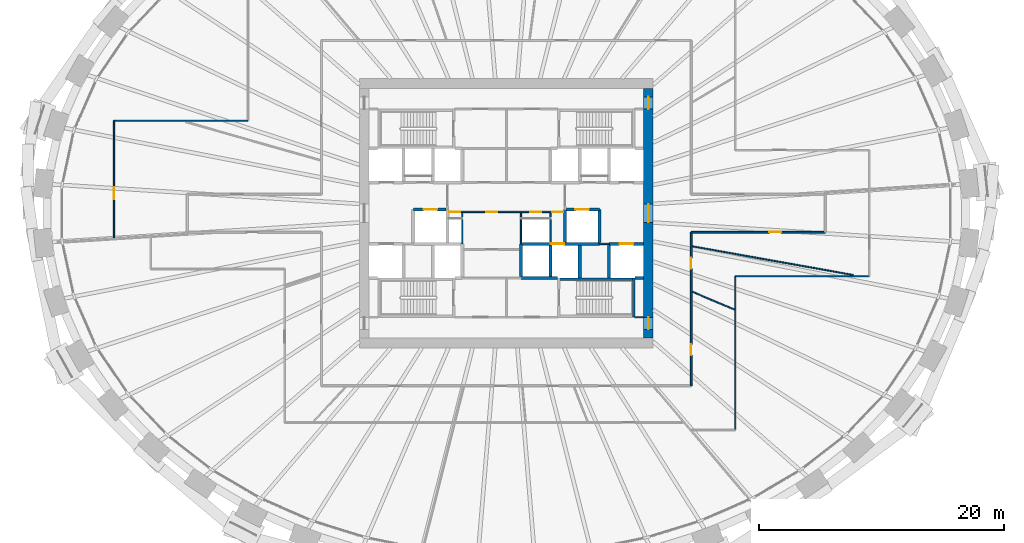
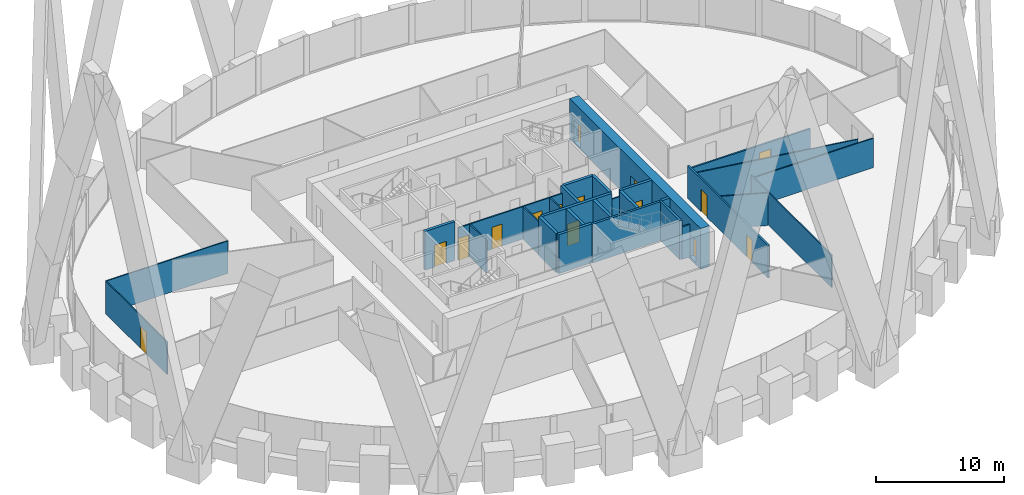
# One storey, part 8 of 12: 29 walls, 15 doors, 15 openings.
"""IFC4 building model written with IfcOpenShell, lengths in metres."""

from ifc_helpers import new_model, si_unit, direction, frame, frame_2d, origin, place, context, subcontext, project, spatial, rectangle, extrude, source, transform, mapped, material, layer, layer_set, type_object, element, fill, save


model = new_model("IFC4")

# Units and contexts
model_context = context("Model", 3, precision=1e-05, world=origin(), true_north=direction((0.0, 1.0)))
body_context = subcontext(model_context, "Body", "Model", "MODEL_VIEW")
ifc_project = project(units=[si_unit("LENGTHUNIT", "METRE"), si_unit("AREAUNIT", "SQUARE_METRE"), si_unit("VOLUMEUNIT", "CUBIC_METRE"), si_unit("PLANEANGLEUNIT", "RADIAN"), si_unit("MASSUNIT", "GRAM", prefix="KILO")], contexts=[model_context])

# Site, building, storey
site_placement = place(None, origin())
site = spatial("IfcSite", under=ifc_project, at=site_placement, CompositionType="ELEMENT")
building_placement = place(site_placement, origin())
building = spatial("IfcBuilding", under=site, at=building_placement, Name="Embergate Tower", CompositionType="ELEMENT")
storey_placement = place(building_placement, frame((0.0, 0.0, 159.89990234375)))
storey = spatial("IfcBuildingStorey", under=building, at=storey_placement, Name="L35", CompositionType="ELEMENT", Elevation=159.89990234375)

# Wall, openings, doors
ifc_material_1 = material(Name="Concrete C70", Category="concrete")
ifc_layer_1 = layer(ifc_material_1, 0.800048828125)
ifc_layer_set_1 = layer_set([ifc_layer_1], Name="Concrete C70")
wall_type_1 = type_object("IfcWallType", Name="Core outer wall C70 800", PredefinedType="SHEAR", material=ifc_layer_set_1)
shared_shape_1 = source(origin(), body_context, "Body", "SweptSolid", [
    extrude(rectangle(XDim=20.39990234375, YDim=0.800048828125, at=frame_2d((10.199951171875, 0.0))), origin(), (0.0, 0.0, 1.0), 3.900146484375),
])
wall_1_placement = place(storey_placement, frame((11.60009765625, -10.199951171875, -0.199951171875), z_axis=(0.0, 0.0, 1.0), x_axis=(0.0, 1.0, 0.0)))
wall_1 = element("IfcWall", 1, at=wall_1_placement, inside=storey, type_object=wall_type_1, Name="CW-L35-E", PredefinedType="SHEAR", context=body_context, shape_type="MappedRepresentation", body=[
    mapped(shared_shape_1, transform((0.0, 0.0, 0.0))),
])
shared_shape_2 = source(origin(), body_context, "Body", "SweptSolid", [
    extrude(rectangle(XDim=1.0, YDim=2.10009765625, at=frame_2d((0.5, 1.050048828125))), frame((0.0, 0.409912109375, 0.0), z_axis=(0.0, -1.0, 0.0), x_axis=(1.0, 0.0, 0.0)), (0.0, 0.0, 1.0), 0.820068359375),
])
opening_1_placement = place(wall_1_placement, frame((18.699951171875, 0.0, 0.199951171875)))
opening_1 = element("IfcOpeningElement", 2, at=opening_1_placement, cuts=wall_1, Name="Opening IF-1d", PredefinedType="OPENING", context=body_context, shape_type="MappedRepresentation", body=[
    mapped(shared_shape_2, transform((0.0, 0.0, 0.0))),
])
opening_2_placement = place(wall_1_placement, frame((0.699951171875, 0.0, 0.199951171875)))
opening_2 = element("IfcOpeningElement", 3, at=opening_2_placement, cuts=wall_1, Name="Opening IF-1d", PredefinedType="OPENING", context=body_context, shape_type="MappedRepresentation", body=[
    mapped(shared_shape_2, transform((0.0, 0.0, 0.0))),
])
shared_shape_3 = source(origin(), body_context, "Body", "SweptSolid", [
    extrude(rectangle(XDim=1.5, YDim=2.10009765625, at=frame_2d((0.75, 1.050048828125))), frame((0.0, 0.409912109375, 0.0), z_axis=(0.0, -1.0, 0.0), x_axis=(1.0, 0.0, 0.0)), (0.0, 0.0, 1.0), 0.820068359375),
])
opening_3_placement = place(wall_1_placement, frame((9.449951171875, 0.0, 0.199951171875)))
opening_3 = element("IfcOpeningElement", 4, at=opening_3_placement, cuts=wall_1, Name="Opening IF-3", PredefinedType="OPENING", context=body_context, shape_type="MappedRepresentation", body=[
    mapped(shared_shape_3, transform((0.0, 0.0, 0.0))),
])
ifc_material_2 = material(Name="Lobby fire door pair 1500")
door_type_1 = type_object("IfcDoorType", Name="Lobby fire door pair 1500", OperationType="DOUBLE_DOOR_SINGLE_SWING", PredefinedType="DOOR", material=ifc_material_2)
shared_shape_4 = source(origin(), body_context, "Body", "SweptSolid", [
    extrude(rectangle(XDim=1.5, YDim=2.10009765625, at=frame_2d((0.75, 1.050048828125))), frame((0.0, 0.02490234375, 0.0), z_axis=(0.0, -1.0, 0.0), x_axis=(1.0, 0.0, 0.0)), (0.0, 0.0, 1.0), 0.050048828125),
])
door_1_placement = place(opening_3_placement, origin())
door_1 = element("IfcDoor", 5, at=door_1_placement, inside=storey, type_object=door_type_1, Name="IF-3 door", OperationType="DOUBLE_DOOR_SINGLE_SWING", OverallHeight=2.10009765625, OverallWidth=1.5, PredefinedType="DOOR", context=body_context, shape_type="MappedRepresentation", body=[
    mapped(shared_shape_4, transform((0.0, 0.0, 0.0))),
])
fill(opening_3, door_1)
ifc_material_3 = material(Name="Escape fire door 1000")
door_type_2 = type_object("IfcDoorType", Name="Escape fire door 1000", OperationType="SINGLE_SWING_LEFT", PredefinedType="DOOR", material=ifc_material_3)
shared_shape_5 = source(origin(), body_context, "Body", "SweptSolid", [
    extrude(rectangle(XDim=1.0, YDim=2.10009765625, at=frame_2d((0.5, 1.050048828125))), frame((0.0, 0.02490234375, 0.0), z_axis=(0.0, -1.0, 0.0), x_axis=(1.0, 0.0, 0.0)), (0.0, 0.0, 1.0), 0.050048828125),
])
door_2_placement = place(opening_1_placement, origin())
door_2 = element("IfcDoor", 6, at=door_2_placement, inside=storey, type_object=door_type_2, Name="IF-1 door", OperationType="SINGLE_SWING_LEFT", OverallHeight=2.10009765625, OverallWidth=1.0, PredefinedType="DOOR", context=body_context, shape_type="MappedRepresentation", body=[
    mapped(shared_shape_5, transform((0.0, 0.0, 0.0))),
])
fill(opening_1, door_2)
door_3_placement = place(opening_2_placement, origin())
door_3 = element("IfcDoor", 7, at=door_3_placement, inside=storey, type_object=door_type_2, Name="IF-1 door", OperationType="SINGLE_SWING_LEFT", OverallHeight=2.10009765625, OverallWidth=1.0, PredefinedType="DOOR", context=body_context, shape_type="MappedRepresentation", body=[
    mapped(shared_shape_5, transform((0.0, 0.0, 0.0))),
])
fill(opening_2, door_3)

# Walls
ifc_material_4 = material(Name="Concrete C50", Category="concrete")
ifc_layer_2 = layer(ifc_material_4, 0.25)
ifc_layer_set_2 = layer_set([ifc_layer_2], Name="Concrete C50")
wall_type_2 = type_object("IfcWallType", Name="Hoistway wall reinforced concrete 250", PredefinedType="SHEAR", material=ifc_layer_set_2)
shared_shape_6 = source(origin(), body_context, "Body", "SweptSolid", [
    extrude(rectangle(XDim=2.675048828125, YDim=0.25, at=frame_2d((1.33740234375, 0.0))), origin(), (0.0, 0.0, 1.0), 3.7001953125),
])
for number, where, z_axis, x_axis, name in (
    (8, (1.199951171875, -2.5, 0.0), (0.0, 0.0, 1.0), (0.0, -1.0, 0.0), "HW-1 wall"),
    (9, (4.800048828125, -2.375, 0.0), (0.0, 0.0, 1.0), (0.0, 1.0, 0.0), "HW-1 wall"),
):
    element("IfcWall", number, at=place(storey_placement, frame(where, z_axis=z_axis, x_axis=x_axis)), inside=storey, type_object=wall_type_2, Name=name, PredefinedType="SHEAR", context=body_context, shape_type="MappedRepresentation", body=[
        mapped(shared_shape_6, transform((0.0, 0.0, 0.0))),
    ])

# Wall, opening, door
wall_2_placement = place(storey_placement, frame((-4.925048828125, 0.300048828125, 0.0), z_axis=(0.0, 0.0, 1.0), x_axis=(-1.0, 0.0, 0.0)))
wall_2 = element("IfcWall", 10, at=wall_2_placement, inside=storey, type_object=wall_type_2, Name="HW-1 wall", PredefinedType="SHEAR", context=body_context, shape_type="MappedRepresentation", body=[
    mapped(shared_shape_6, transform((0.0, 0.0, 0.0))),
])
shared_shape_7 = source(origin(), body_context, "Body", "SweptSolid", [
    extrude(rectangle(XDim=1.10009765625, YDim=2.10009765625, at=frame_2d((0.550048828125, 1.050048828125))), frame((0.0, 0.135009765625, 0.0), z_axis=(0.0, -1.0, 0.0), x_axis=(1.0, 0.0, 0.0)), (0.0, 0.0, 1.0), 0.27001953125),
])
opening_4_placement = place(wall_2_placement, frame((0.72509765625, 0.0, 0.0)))
opening_4 = element("IfcOpeningElement", 11, at=opening_4_placement, cuts=wall_2, Name="Opening LD", PredefinedType="OPENING", context=body_context, shape_type="MappedRepresentation", body=[
    mapped(shared_shape_7, transform((0.0, 0.0, 0.0))),
])
ifc_material_5 = material(Name="Landing door sliding 1100")
door_type_3 = type_object("IfcDoorType", Name="Landing door sliding 1100", OperationType="SLIDING_TO_LEFT", PredefinedType="DOOR", material=ifc_material_5)
shared_shape_8 = source(origin(), body_context, "Body", "SweptSolid", [
    extrude(rectangle(XDim=1.10009765625, YDim=2.10009765625, at=frame_2d((0.550048828125, 1.050048828125))), frame((0.0, 0.02490234375, 0.0), z_axis=(0.0, -1.0, 0.0), x_axis=(1.0, 0.0, 0.0)), (0.0, 0.0, 1.0), 0.050048828125),
])
door_4_placement = place(opening_4_placement, origin())
door_4 = element("IfcDoor", 12, at=door_4_placement, inside=storey, type_object=door_type_3, Name="LD door", OperationType="SLIDING_TO_RIGHT", OverallHeight=2.10009765625, OverallWidth=1.10009765625, PredefinedType="DOOR", context=body_context, shape_type="MappedRepresentation", body=[
    mapped(shared_shape_8, transform((0.0, 0.0, 0.0))),
])
fill(opening_4, door_4)

wall_3_placement = place(storey_placement, frame((7.60009765625, 0.300048828125, 0.0), z_axis=(0.0, 0.0, 1.0), x_axis=(-1.0, 0.0, 0.0)))
wall_3 = element("IfcWall", 13, at=wall_3_placement, inside=storey, type_object=wall_type_2, Name="HW-1 wall", PredefinedType="SHEAR", context=body_context, shape_type="MappedRepresentation", body=[
    mapped(shared_shape_6, transform((0.0, 0.0, 0.0))),
])
opening_5_placement = place(wall_3_placement, frame((0.85009765625, 0.0, 0.0)))
opening_5 = element("IfcOpeningElement", 14, at=opening_5_placement, cuts=wall_3, Name="Opening LD", PredefinedType="OPENING", context=body_context, shape_type="MappedRepresentation", body=[
    mapped(shared_shape_7, transform((0.0, 0.0, 0.0))),
])
door_5_placement = place(opening_5_placement, origin())
door_5 = element("IfcDoor", 15, at=door_5_placement, inside=storey, type_object=door_type_3, Name="LD door", OperationType="SLIDING_TO_RIGHT", OverallHeight=2.10009765625, OverallWidth=1.10009765625, PredefinedType="DOOR", context=body_context, shape_type="MappedRepresentation", body=[
    mapped(shared_shape_8, transform((0.0, 0.0, 0.0))),
])
fill(opening_5, door_5)

# Walls
wall_4_placement = place(storey_placement, frame((7.60009765625, -2.375, 0.0), z_axis=(0.0, 0.0, 1.0), x_axis=(0.0, 1.0, 0.0)))
element("IfcWall", 16, at=wall_4_placement, inside=storey, type_object=wall_type_2, Name="HW-1 wall", PredefinedType="SHEAR", context=body_context, shape_type="MappedRepresentation", body=[
    mapped(shared_shape_6, transform((0.0, 0.0, 0.0))),
])
ifc_layer_3 = layer(ifc_material_4, 0.199951171875)
ifc_layer_set_3 = layer_set([ifc_layer_3], Name="Concrete C50")
wall_type_3 = type_object("IfcWallType", Name="Stair enclosure wall reinforced concrete 250", PredefinedType="SHEAR", material=ifc_layer_set_3)
shared_shape_9 = source(origin(), body_context, "Body", "SweptSolid", [
    extrude(rectangle(XDim=6.300048828125, YDim=0.199951171875, at=frame_2d((3.14990234375, 0.0))), origin(), (0.0, 0.0, 1.0), 3.7001953125),
])
wall_5_placement = place(storey_placement, frame((4.199951171875, -5.39990234375, 0.0), z_axis=(0.0, 0.0, 1.0), x_axis=(1.0, 0.0, 0.0)))
element("IfcWall", 17, at=wall_5_placement, inside=storey, type_object=wall_type_3, Name="SE-1 wall", PredefinedType="SHEAR", context=body_context, shape_type="MappedRepresentation", body=[
    mapped(shared_shape_9, transform((0.0, 0.0, 0.0))),
])
shared_shape_10 = source(origin(), body_context, "Body", "SweptSolid", [
    extrude(rectangle(XDim=2.550048828125, YDim=0.25, at=frame_2d((1.27490234375, 0.0))), origin(), (0.0, 0.0, 1.0), 3.7001953125),
])
wall_6_placement = place(storey_placement, frame((3.60009765625, -5.175048828125, 0.0), z_axis=(0.0, 0.0, 1.0), x_axis=(0.0, 1.0, 0.0)))
element("IfcWall", 18, at=wall_6_placement, inside=storey, type_object=wall_type_2, Name="HW-1 wall", PredefinedType="SHEAR", context=body_context, shape_type="MappedRepresentation", body=[
    mapped(shared_shape_10, transform((0.0, 0.0, 0.0))),
])

# Wall, opening, door
ifc_material_6 = material(Name="Corridor wall dry-lined 150")
ifc_layer_4 = layer(ifc_material_6, 0.14990234375)
ifc_layer_set_4 = layer_set([ifc_layer_4], Name="Corridor wall dry-lined 150")
wall_type_4 = type_object("IfcWallType", Name="Corridor wall dry-lined 150", PredefinedType="PARTITIONING", material=ifc_layer_set_4)
shared_shape_11 = source(origin(), body_context, "Body", "SweptSolid", [
    extrude(rectangle(XDim=10.949951171875, YDim=0.14990234375, at=frame_2d((5.47509765625, 0.0))), origin(), (0.0, 0.0, 1.0), 2.800048828125),
])
wall_7_placement = place(storey_placement, frame((15.10009765625, -1.550048828125, 0.0), z_axis=(0.0, 0.0, 1.0), x_axis=(1.0, 0.0, 0.0)))
wall_7 = element("IfcWall", 19, at=wall_7_placement, inside=storey, type_object=wall_type_4, Name="IP-2 wall", PredefinedType="PARTITIONING", context=body_context, shape_type="MappedRepresentation", body=[
    mapped(shared_shape_11, transform((0.0, 0.0, 0.0))),
])
shared_shape_12 = source(origin(), body_context, "Body", "SweptSolid", [
    extrude(rectangle(XDim=1.0, YDim=2.10009765625, at=frame_2d((0.5, 1.050048828125))), frame((0.0, 0.0849609375, 0.0), z_axis=(0.0, -1.0, 0.0), x_axis=(1.0, 0.0, 0.0)), (0.0, 0.0, 1.0), 0.169921875),
])
opening_6_placement = place(wall_7_placement, frame((6.376953125, 0.0, 0.0)))
opening_6 = element("IfcOpeningElement", 20, at=opening_6_placement, cuts=wall_7, Name="Opening ID-2", PredefinedType="OPENING", context=body_context, shape_type="MappedRepresentation", body=[
    mapped(shared_shape_12, transform((0.0, 0.0, 0.0))),
])
ifc_material_7 = material(Name="Interior door 1000")
door_type_4 = type_object("IfcDoorType", Name="Interior door 1000", OperationType="SINGLE_SWING_LEFT", PredefinedType="DOOR", material=ifc_material_7)
door_6_placement = place(opening_6_placement, origin())
door_6 = element("IfcDoor", 21, at=door_6_placement, inside=storey, type_object=door_type_4, Name="ID-2 door", OperationType="SINGLE_SWING_LEFT", OverallHeight=2.10009765625, OverallWidth=1.0, PredefinedType="DOOR", context=body_context, shape_type="MappedRepresentation", body=[
    mapped(shared_shape_5, transform((0.0, 0.0, 0.0))),
])
fill(opening_6, door_6)

# Walls
ifc_material_8 = material(Name="Partition dry-lined 100")
ifc_layer_5 = layer(ifc_material_8, 0.10009765625)
ifc_layer_set_5 = layer_set([ifc_layer_5], Name="Partition dry-lined 100")
wall_type_5 = type_object("IfcWallType", Name="Partition dry-lined 100", PredefinedType="PARTITIONING", material=ifc_layer_set_5)
shared_shape_13 = source(origin(), body_context, "Body", "SweptSolid", [
    extrude(rectangle(XDim=10.949951171875, YDim=0.10009765625, at=frame_2d((5.47509765625, 0.0))), origin(), (0.0, 0.0, 1.0), 3.10009765625),
])
wall_8_placement = place(storey_placement, frame((-32.050048828125, 7.550048828125, 0.0), z_axis=(0.0, 0.0, 1.0), x_axis=(1.0, 0.0, 0.0)))
element("IfcWall", 22, at=wall_8_placement, inside=storey, type_object=wall_type_5, Name="IP-1 wall", PredefinedType="PARTITIONING", context=body_context, shape_type="MappedRepresentation", body=[
    mapped(shared_shape_13, transform((0.0, 0.0, 0.0))),
])
shared_shape_14 = source(origin(), body_context, "Body", "SweptSolid", [
    extrude(rectangle(XDim=10.949951171875, YDim=0.10009765625, at=frame_2d((5.47509765625, 0.0))), origin(), (0.0, 0.0, 1.0), 2.800048828125),
])
wall_9_placement = place(storey_placement, frame((29.64990234375, -5.14990234375, 0.0), z_axis=(0.0, 0.0, 1.0), x_axis=(-1.0, 0.0, 0.0)))
element("IfcWall", 23, at=wall_9_placement, inside=storey, type_object=wall_type_5, Name="IP-1 wall", PredefinedType="PARTITIONING", context=body_context, shape_type="MappedRepresentation", body=[
    mapped(shared_shape_14, transform((0.0, 0.0, 0.0))),
])

# Wall, openings, doors
ifc_material_9 = material(Name="Core partition blockwork 120")
ifc_layer_6 = layer(ifc_material_9, 0.1201171875)
ifc_layer_set_6 = layer_set([ifc_layer_6], Name="Core partition blockwork 120")
wall_type_6 = type_object("IfcWallType", Name="Core partition blockwork 120", PredefinedType="PARTITIONING", material=ifc_layer_set_6)
shared_shape_15 = source(origin(), body_context, "Body", "SweptSolid", [
    extrude(rectangle(XDim=9.35009765625, YDim=0.1201171875, at=frame_2d((4.675048828125, 0.0))), origin(), (0.0, 0.0, 1.0), 3.10009765625),
])
wall_10_placement = place(storey_placement, frame((-4.675048828125, 0.10009765625, 0.0), z_axis=(0.0, 0.0, 1.0), x_axis=(1.0, 0.0, 0.0)))
wall_10 = element("IfcWall", 24, at=wall_10_placement, inside=storey, type_object=wall_type_6, Name="IP-3 wall", PredefinedType="PARTITIONING", context=body_context, shape_type="MappedRepresentation", body=[
    mapped(shared_shape_15, transform((0.0, 0.0, 0.0))),
])
shared_shape_16 = source(origin(), body_context, "Body", "SweptSolid", [
    extrude(rectangle(XDim=0.89990234375, YDim=2.10009765625, at=frame_2d((0.449951171875, 1.050048828125))), frame((0.0, 0.070068359375, 0.0), z_axis=(0.0, -1.0, 0.0), x_axis=(1.0, 0.0, 0.0)), (0.0, 0.0, 1.0), 0.14013671875),
])
opening_7_placement = place(wall_10_placement, frame((8.425048828125, 0.0, 0.0)))
opening_7 = element("IfcOpeningElement", 25, at=opening_7_placement, cuts=wall_10, Name="Opening IF-3c", PredefinedType="OPENING", context=body_context, shape_type="MappedRepresentation", body=[
    mapped(shared_shape_16, transform((0.0, 0.0, 0.0))),
])
opening_8_placement = place(wall_10_placement, frame((0.02490234375, 0.0, 0.0)))
opening_8 = element("IfcOpeningElement", 26, at=opening_8_placement, cuts=wall_10, Name="Opening ID-1", PredefinedType="OPENING", context=body_context, shape_type="MappedRepresentation", body=[
    mapped(shared_shape_16, transform((0.0, 0.0, 0.0))),
])
opening_9_placement = place(wall_10_placement, frame((6.625, 0.0, 0.0)))
opening_9 = element("IfcOpeningElement", 27, at=opening_9_placement, cuts=wall_10, Name="Opening ID-1", PredefinedType="OPENING", context=body_context, shape_type="MappedRepresentation", body=[
    mapped(shared_shape_16, transform((0.0, 0.0, 0.0))),
])
opening_10_placement = place(wall_10_placement, frame((3.02490234375, 0.0, 0.0)))
opening_10 = element("IfcOpeningElement", 28, at=opening_10_placement, cuts=wall_10, Name="Opening ID-1", PredefinedType="OPENING", context=body_context, shape_type="MappedRepresentation", body=[
    mapped(shared_shape_16, transform((0.0, 0.0, 0.0))),
])
ifc_material_10 = material(Name="Lobby fire door pair 900")
door_type_5 = type_object("IfcDoorType", Name="Lobby fire door pair 900", OperationType="DOUBLE_DOOR_SINGLE_SWING", PredefinedType="DOOR", material=ifc_material_10)
shared_shape_17 = source(origin(), body_context, "Body", "SweptSolid", [
    extrude(rectangle(XDim=0.89990234375, YDim=2.10009765625, at=frame_2d((0.449951171875, 1.050048828125))), frame((0.0, 0.02490234375, 0.0), z_axis=(0.0, -1.0, 0.0), x_axis=(1.0, 0.0, 0.0)), (0.0, 0.0, 1.0), 0.050048828125),
])
door_7_placement = place(opening_7_placement, origin())
door_7 = element("IfcDoor", 29, at=door_7_placement, inside=storey, type_object=door_type_5, Name="IF-3 door", OperationType="DOUBLE_DOOR_SINGLE_SWING", OverallHeight=2.10009765625, OverallWidth=0.89990234375, PredefinedType="DOOR", context=body_context, shape_type="MappedRepresentation", body=[
    mapped(shared_shape_17, transform((0.0, 0.0, 0.0))),
])
fill(opening_7, door_7)
ifc_material_11 = material(Name="Interior door 900")
door_type_6 = type_object("IfcDoorType", Name="Interior door 900", OperationType="SINGLE_SWING_LEFT", PredefinedType="DOOR", material=ifc_material_11)
door_8_placement = place(opening_8_placement, origin())
door_8 = element("IfcDoor", 30, at=door_8_placement, inside=storey, type_object=door_type_6, Name="ID-1 door", OperationType="SINGLE_SWING_RIGHT", OverallHeight=2.10009765625, OverallWidth=0.89990234375, PredefinedType="DOOR", context=body_context, shape_type="MappedRepresentation", body=[
    mapped(shared_shape_17, transform((0.0, 0.0, 0.0))),
])
fill(opening_8, door_8)
door_9_placement = place(opening_9_placement, origin())
door_9 = element("IfcDoor", 31, at=door_9_placement, inside=storey, type_object=door_type_6, Name="ID-1 door", OperationType="SINGLE_SWING_RIGHT", OverallHeight=2.10009765625, OverallWidth=0.89990234375, PredefinedType="DOOR", context=body_context, shape_type="MappedRepresentation", body=[
    mapped(shared_shape_17, transform((0.0, 0.0, 0.0))),
])
fill(opening_9, door_9)
door_10_placement = place(opening_10_placement, origin())
door_10 = element("IfcDoor", 32, at=door_10_placement, inside=storey, type_object=door_type_6, Name="ID-1 door", OperationType="SINGLE_SWING_LEFT", OverallHeight=2.10009765625, OverallWidth=0.89990234375, PredefinedType="DOOR", context=body_context, shape_type="MappedRepresentation", body=[
    mapped(shared_shape_17, transform((0.0, 0.0, 0.0))),
])
fill(opening_10, door_10)

# Walls
shared_shape_18 = source(origin(), body_context, "Body", "SweptSolid", [
    extrude(rectangle(XDim=2.5400390625, YDim=0.1201171875, at=frame_2d((1.27001953125, 0.0))), origin(), (0.0, 0.0, 1.0), 3.10009765625),
])
for number, where, z_axis, x_axis, name in (
    (33, (-3.60009765625, -2.5, 0.0), (0.0, 0.0, 1.0), (0.0, 1.0, 0.0), "IP-3 wall"),
    (34, (1.199951171875, 0.0400390625, 0.0), (0.0, 0.0, 1.0), (0.0, -1.0, 0.0), "IP-3 wall"),
):
    element("IfcWall", number, at=place(storey_placement, frame(where, z_axis=z_axis, x_axis=x_axis)), inside=storey, type_object=wall_type_6, Name=name, PredefinedType="PARTITIONING", context=body_context, shape_type="MappedRepresentation", body=[
        mapped(shared_shape_18, transform((0.0, 0.0, 0.0))),
    ])
shared_shape_19 = source(origin(), body_context, "Body", "SweptSolid", [
    extrude(rectangle(XDim=2.4150390625, YDim=0.1201171875, at=frame_2d((1.20751953125, 0.0))), origin(), (0.0, 0.0, 1.0), 3.10009765625),
])
wall_11_placement = place(storey_placement, frame((3.60009765625, -2.375, 0.0), z_axis=(0.0, 0.0, 1.0), x_axis=(0.0, 1.0, 0.0)))
element("IfcWall", 35, at=wall_11_placement, inside=storey, type_object=wall_type_6, Name="IP-3 wall", PredefinedType="PARTITIONING", context=body_context, shape_type="MappedRepresentation", body=[
    mapped(shared_shape_19, transform((0.0, 0.0, 0.0))),
])
shared_shape_20 = source(origin(), body_context, "Body", "SweptSolid", [
    extrude(rectangle(XDim=0.7958984375, YDim=0.1201171875, at=frame_2d((0.39794921875, 0.0))), origin(), (0.0, 0.0, 1.0), 3.10009765625),
])
wall_12_placement = place(storey_placement, frame((7.60205078125, -2.5, 0.0), z_axis=(0.0, 0.0, 1.0), x_axis=(1.0, 0.0, 0.0)))
element("IfcWall", 36, at=wall_12_placement, inside=storey, type_object=wall_type_6, Name="IP-3 wall", PredefinedType="PARTITIONING", context=body_context, shape_type="MappedRepresentation", body=[
    mapped(shared_shape_20, transform((0.0, 0.0, 0.0))),
])
shared_shape_21 = source(origin(), body_context, "Body", "SweptSolid", [
    extrude(rectangle(XDim=0.697998046875, YDim=0.1201171875, at=frame_2d((0.34912109375, 0.0))), origin(), (0.0, 0.0, 1.0), 3.10009765625),
])
wall_13_placement = place(storey_placement, frame((11.199951171875, -8.5, 0.0), z_axis=(0.0, 0.0, 1.0), x_axis=(-1.0, 0.0, 0.0)))
element("IfcWall", 37, at=wall_13_placement, inside=storey, type_object=wall_type_6, Name="IP-3 wall", PredefinedType="PARTITIONING", context=body_context, shape_type="MappedRepresentation", body=[
    mapped(shared_shape_21, transform((0.0, 0.0, 0.0))),
])

# Wall, opening, door
shared_shape_22 = source(origin(), body_context, "Body", "SweptSolid", [
    extrude(rectangle(XDim=2.800048828125, YDim=0.25, at=frame_2d((1.39990234375, 0.0))), origin(), (0.0, 0.0, 1.0), 3.7001953125),
])
wall_14_placement = place(storey_placement, frame((11.199951171875, -2.5, 0.0), z_axis=(0.0, 0.0, 1.0), x_axis=(-1.0, 0.0, 0.0)))
wall_14 = element("IfcWall", 38, at=wall_14_placement, inside=storey, type_object=wall_type_2, Name="HW-1 wall", PredefinedType="SHEAR", context=body_context, shape_type="MappedRepresentation", body=[
    mapped(shared_shape_22, transform((0.0, 0.0, 0.0))),
])
opening_11_placement = place(wall_14_placement, frame((0.85009765625, 0.0, 0.0)))
opening_11 = element("IfcOpeningElement", 39, at=opening_11_placement, cuts=wall_14, Name="Opening LD", PredefinedType="OPENING", context=body_context, shape_type="MappedRepresentation", body=[
    mapped(shared_shape_7, transform((0.0, 0.0, 0.0))),
])
door_11_placement = place(opening_11_placement, origin())
door_11 = element("IfcDoor", 40, at=door_11_placement, inside=storey, type_object=door_type_3, Name="LD door", OperationType="SLIDING_TO_LEFT", OverallHeight=2.10009765625, OverallWidth=1.10009765625, PredefinedType="DOOR", context=body_context, shape_type="MappedRepresentation", body=[
    mapped(shared_shape_8, transform((0.0, 0.0, 0.0))),
])
fill(opening_11, door_11)

shared_shape_23 = source(origin(), body_context, "Body", "SweptSolid", [
    extrude(rectangle(XDim=6.27294921875, YDim=0.25, at=frame_2d((3.136474609375, 0.0))), origin(), (0.0, 0.0, 1.0), 3.7001953125),
])
wall_15_placement = place(storey_placement, frame((7.597900390625, -2.5, 0.0), z_axis=(0.0, 0.0, 1.0), x_axis=(-1.0, 0.0, 0.0)))
wall_15 = element("IfcWall", 41, at=wall_15_placement, inside=storey, type_object=wall_type_2, Name="HW-1 wall", PredefinedType="SHEAR", context=body_context, shape_type="MappedRepresentation", body=[
    mapped(shared_shape_23, transform((0.0, 0.0, 0.0))),
])
opening_12_placement = place(wall_15_placement, frame((2.847900390625, 0.0, 0.0)))
opening_12 = element("IfcOpeningElement", 42, at=opening_12_placement, cuts=wall_15, Name="Opening LD", PredefinedType="OPENING", context=body_context, shape_type="MappedRepresentation", body=[
    mapped(shared_shape_7, transform((0.0, 0.0, 0.0))),
])
door_12_placement = place(opening_12_placement, origin())
door_12 = element("IfcDoor", 43, at=door_12_placement, inside=storey, type_object=door_type_3, Name="LD door", OperationType="SLIDING_TO_LEFT", OverallHeight=2.10009765625, OverallWidth=1.10009765625, PredefinedType="DOOR", context=body_context, shape_type="MappedRepresentation", body=[
    mapped(shared_shape_8, transform((0.0, 0.0, 0.0))),
])
fill(opening_12, door_12)

# Walls
shared_shape_24 = source(origin(), body_context, "Body", "SweptSolid", [
    extrude(rectangle(XDim=3.0, YDim=0.25, at=frame_2d((1.5, 0.0))), origin(), (0.0, 0.0, 1.0), 3.7001953125),
])
wall_16_placement = place(storey_placement, frame((1.199951171875, -5.300048828125, 0.0), z_axis=(0.0, 0.0, 1.0), x_axis=(1.0, 0.0, 0.0)))
element("IfcWall", 44, at=wall_16_placement, inside=storey, type_object=wall_type_2, Name="HW-1 wall", PredefinedType="SHEAR", context=body_context, shape_type="MappedRepresentation", body=[
    mapped(shared_shape_24, transform((0.0, 0.0, 0.0))),
])
shared_shape_25 = source(origin(), body_context, "Body", "SweptSolid", [
    extrude(rectangle(XDim=3.196044921875, YDim=0.199951171875, at=frame_2d((1.59814453125, 0.0))), origin(), (0.0, 0.0, 1.0), 3.7001953125),
])
wall_17_placement = place(storey_placement, frame((10.39990234375, -8.498046875, 0.0), z_axis=(0.0, 0.0, 1.0), x_axis=(0.0, 1.0, 0.0)))
element("IfcWall", 45, at=wall_17_placement, inside=storey, type_object=wall_type_3, Name="SE-1 wall", PredefinedType="SHEAR", context=body_context, shape_type="MappedRepresentation", body=[
    mapped(shared_shape_25, transform((0.0, 0.0, 0.0))),
])
shared_shape_26 = source(origin(), body_context, "Body", "SweptSolid", [
    extrude(rectangle(XDim=0.697998046875, YDim=0.25, at=frame_2d((0.34912109375, 0.0))), origin(), (0.0, 0.0, 1.0), 3.7001953125),
])
wall_18_placement = place(storey_placement, frame((10.501953125, -5.300048828125, 0.0), z_axis=(0.0, 0.0, 1.0), x_axis=(1.0, 0.0, 0.0)))
element("IfcWall", 46, at=wall_18_placement, inside=storey, type_object=wall_type_2, Name="HW-1 wall", PredefinedType="SHEAR", context=body_context, shape_type="MappedRepresentation", body=[
    mapped(shared_shape_26, transform((0.0, 0.0, 0.0))),
])
shared_shape_27 = source(origin(), body_context, "Body", "SweptSolid", [
    extrude(rectangle(XDim=2.671142578125, YDim=0.25, at=frame_2d((1.33544921875, 0.0))), origin(), (0.0, 0.0, 1.0), 3.7001953125),
])
for number, where, z_axis, x_axis, name in (
    (47, (6.0, -5.298095703125, 0.0), (0.0, 0.0, 1.0), (0.0, 1.0, 0.0), "HW-1 wall"),
    (48, (8.39990234375, -2.626953125, 0.0), (0.0, 0.0, 1.0), (0.0, -1.0, 0.0), "HW-1 wall"),
):
    element("IfcWall", number, at=place(storey_placement, frame(where, z_axis=z_axis, x_axis=x_axis)), inside=storey, type_object=wall_type_2, Name=name, PredefinedType="SHEAR", context=body_context, shape_type="MappedRepresentation", body=[
        mapped(shared_shape_27, transform((0.0, 0.0, 0.0))),
    ])

# Wall, openings, doors
shared_shape_28 = source(origin(), body_context, "Body", "SweptSolid", [
    extrude(rectangle(XDim=12.550048828125, YDim=0.14990234375, at=frame_2d((6.27490234375, 0.0))), origin(), (0.0, 0.0, 1.0), 3.10009765625),
])
wall_19_placement = place(storey_placement, frame((15.10009765625, -1.550048828125, 0.0), z_axis=(0.0, 0.0, 1.0), x_axis=(0.0, -1.0, 0.0)))
wall_19 = element("IfcWall", 49, at=wall_19_placement, inside=storey, type_object=wall_type_4, Name="IP-2 wall", PredefinedType="PARTITIONING", context=body_context, shape_type="MappedRepresentation", body=[
    mapped(shared_shape_28, transform((0.0, 0.0, 0.0))),
])
shared_shape_29 = source(origin(), body_context, "Body", "SweptSolid", [
    extrude(rectangle(XDim=0.89990234375, YDim=2.10009765625, at=frame_2d((0.449951171875, 1.050048828125))), frame((0.0, 0.0849609375, 0.0), z_axis=(0.0, -1.0, 0.0), x_axis=(1.0, 0.0, 0.0)), (0.0, 0.0, 1.0), 0.169921875),
])
opening_13_placement = place(wall_19_placement, frame((9.173095703125, 0.0, 0.0)))
opening_13 = element("IfcOpeningElement", 50, at=opening_13_placement, cuts=wall_19, Name="Opening IF-1c", PredefinedType="OPENING", context=body_context, shape_type="MappedRepresentation", body=[
    mapped(shared_shape_29, transform((0.0, 0.0, 0.0))),
])
opening_14_placement = place(wall_19_placement, frame((2.096923828125, 0.0, 0.0)))
opening_14 = element("IfcOpeningElement", 51, at=opening_14_placement, cuts=wall_19, Name="Opening IF-1c", PredefinedType="OPENING", context=body_context, shape_type="MappedRepresentation", body=[
    mapped(shared_shape_29, transform((0.0, 0.0, 0.0))),
])
ifc_material_12 = material(Name="Escape fire door 900")
door_type_7 = type_object("IfcDoorType", Name="Escape fire door 900", OperationType="SINGLE_SWING_LEFT", PredefinedType="DOOR", material=ifc_material_12)
door_13_placement = place(opening_13_placement, origin())
door_13 = element("IfcDoor", 52, at=door_13_placement, inside=storey, type_object=door_type_7, Name="IF-1 door", OperationType="SINGLE_SWING_LEFT", OverallHeight=2.10009765625, OverallWidth=0.89990234375, PredefinedType="DOOR", context=body_context, shape_type="MappedRepresentation", body=[
    mapped(shared_shape_17, transform((0.0, 0.0, 0.0))),
])
fill(opening_13, door_13)
door_14_placement = place(opening_14_placement, origin())
door_14 = element("IfcDoor", 53, at=door_14_placement, inside=storey, type_object=door_type_7, Name="IF-1 door", OperationType="SINGLE_SWING_LEFT", OverallHeight=2.10009765625, OverallWidth=0.89990234375, PredefinedType="DOOR", context=body_context, shape_type="MappedRepresentation", body=[
    mapped(shared_shape_17, transform((0.0, 0.0, 0.0))),
])
fill(opening_14, door_14)

# Walls
shared_shape_30 = source(origin(), body_context, "Body", "SweptSolid", [
    extrude(rectangle(XDim=12.550048828125, YDim=0.10009765625, at=frame_2d((6.27490234375, 0.0))), origin(), (0.0, 0.0, 1.0), 3.10009765625),
])
wall_20_placement = place(storey_placement, frame((18.699951171875, -5.14990234375, 0.0), z_axis=(0.0, 0.0, 1.0), x_axis=(0.0, -1.0, 0.0)))
element("IfcWall", 54, at=wall_20_placement, inside=storey, type_object=wall_type_5, Name="IP-1 wall", PredefinedType="PARTITIONING", context=body_context, shape_type="MappedRepresentation", body=[
    mapped(shared_shape_30, transform((0.0, 0.0, 0.0))),
])
shared_shape_31 = source(origin(), body_context, "Body", "SweptSolid", [
    extrude(rectangle(XDim=3.731201171875, YDim=0.10009765625, at=frame_2d((1.86572265625, 0.0))), origin(), (0.0, 0.0, 1.0), 3.10009765625),
])
wall_21_placement = place(storey_placement, frame((15.194091796875, -6.4189453125, 0.0), z_axis=(0.0, 0.0, 1.0), x_axis=(0.921156789101, -0.389191687852, 0.0)))
element("IfcWall", 55, at=wall_21_placement, inside=storey, type_object=wall_type_5, Name="IP-1 wall", PredefinedType="PARTITIONING", context=body_context, shape_type="MappedRepresentation", body=[
    mapped(shared_shape_31, transform((0.0, 0.0, 0.0))),
])
shared_shape_32 = source(origin(), body_context, "Body", "SweptSolid", [
    extrude(rectangle(XDim=13.369384765625, YDim=0.10009765625, at=frame_2d((6.6845703125, 0.0))), origin(), (0.0, 0.0, 1.0), 3.10009765625),
])
wall_22_placement = place(storey_placement, frame((15.18408203125, -2.705078125, 0.0), z_axis=(0.0, 0.0, 1.0), x_axis=(0.984484294433, -0.175472715869, 0.0)))
element("IfcWall", 56, at=wall_22_placement, inside=storey, type_object=wall_type_5, Name="IP-1 wall", PredefinedType="PARTITIONING", context=body_context, shape_type="MappedRepresentation", body=[
    mapped(shared_shape_32, transform((0.0, 0.0, 0.0))),
])

# Wall, opening, door
shared_shape_33 = source(origin(), body_context, "Body", "SweptSolid", [
    extrude(rectangle(XDim=9.56298828125, YDim=0.10009765625, at=frame_2d((4.781494140625, 0.0))), origin(), (0.0, 0.0, 1.0), 3.10009765625),
])
wall_23_placement = place(storey_placement, frame((-32.050048828125, 7.550048828125, 0.0), z_axis=(0.0, 0.0, 1.0), x_axis=(0.0, -1.0, 0.0)))
wall_23 = element("IfcWall", 57, at=wall_23_placement, inside=storey, type_object=wall_type_5, Name="IP-1 wall", PredefinedType="PARTITIONING", context=body_context, shape_type="MappedRepresentation", body=[
    mapped(shared_shape_33, transform((0.0, 0.0, 0.0))),
])
shared_shape_34 = source(origin(), body_context, "Body", "SweptSolid", [
    extrude(rectangle(XDim=1.0, YDim=2.10009765625, at=frame_2d((0.5, 1.050048828125))), frame((0.0, 0.06005859375, 0.0), z_axis=(0.0, -1.0, 0.0), x_axis=(1.0, 0.0, 0.0)), (0.0, 0.0, 1.0), 0.1201171875),
])
opening_15_placement = place(wall_23_placement, frame((5.427978515625, 0.0, 0.0)))
opening_15 = element("IfcOpeningElement", 58, at=opening_15_placement, cuts=wall_23, Name="Opening ID-2", PredefinedType="OPENING", context=body_context, shape_type="MappedRepresentation", body=[
    mapped(shared_shape_34, transform((0.0, 0.0, 0.0))),
])
door_15_placement = place(opening_15_placement, origin())
door_15 = element("IfcDoor", 59, at=door_15_placement, inside=storey, type_object=door_type_4, Name="ID-2 door", OperationType="SINGLE_SWING_RIGHT", OverallHeight=2.10009765625, OverallWidth=1.0, PredefinedType="DOOR", context=body_context, shape_type="MappedRepresentation", body=[
    mapped(shared_shape_5, transform((0.0, 0.0, 0.0))),
])
fill(opening_15, door_15)

save(model, "model.ifc")
